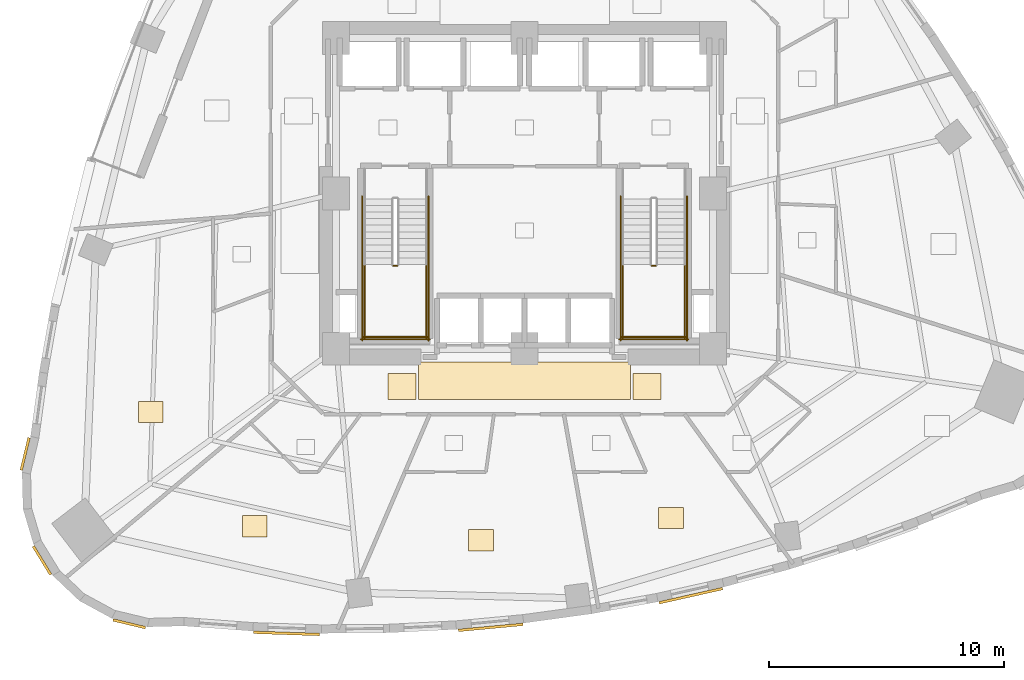
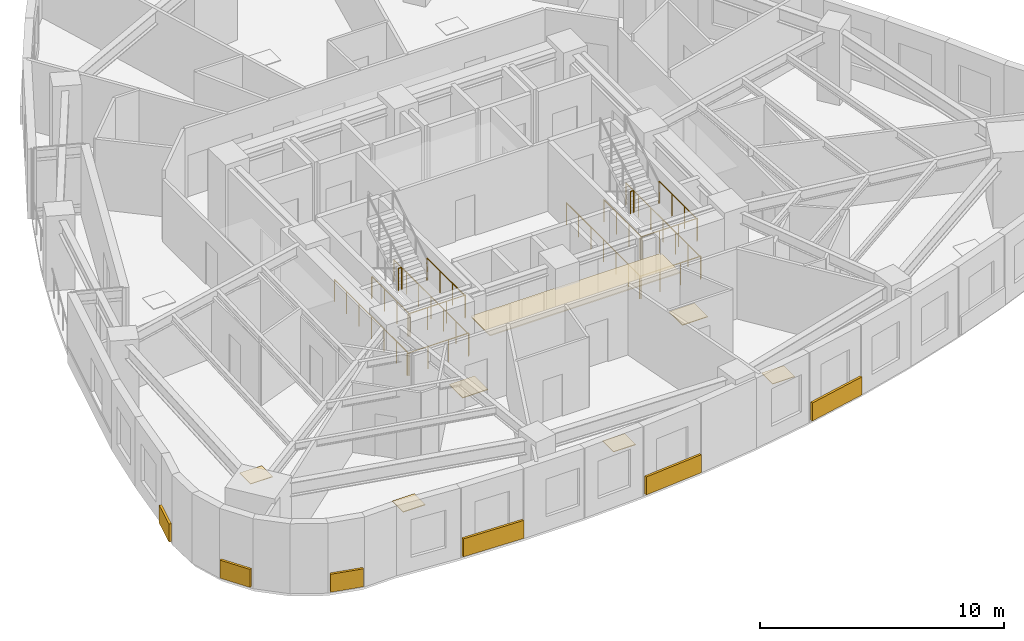
# One storey, part 10 of 12: 14 railings, 13 coverings.
"""IFC4 building model written with IfcOpenShell, lengths in metres."""

from ifc_helpers import new_model, si_unit, direction, frame, origin, origin_2d, place, context, subcontext, project, spatial, rectangle, circle, extrude, material, layer, layer_set, type_object, element, save


model = new_model("IFC4")

# Units and contexts
model_context = context("Model", 3, precision=1e-05, world=origin(), true_north=direction((0.0, 1.0)))
body_context = subcontext(model_context, "Body", "Model", "MODEL_VIEW")
ifc_project = project(units=[si_unit("LENGTHUNIT", "METRE"), si_unit("AREAUNIT", "SQUARE_METRE"), si_unit("VOLUMEUNIT", "CUBIC_METRE"), si_unit("PLANEANGLEUNIT", "RADIAN"), si_unit("MASSUNIT", "GRAM", prefix="KILO")], contexts=[model_context])

# Site, building, storey
site_placement = place(None, origin())
site = spatial("IfcSite", under=ifc_project, at=site_placement, CompositionType="ELEMENT")
building_placement = place(site_placement, origin())
building = spatial("IfcBuilding", under=site, at=building_placement, Name="Ndelora Gate Hotel", CompositionType="ELEMENT")
storey_placement = place(building_placement, frame((0.0, 0.0, 60.5)))
storey = spatial("IfcBuildingStorey", under=building, at=storey_placement, Name="L14", CompositionType="ELEMENT", Elevation=60.5)

# Coverings
ifc_material_1 = material(Name="Perforated Acoustic Gypsum Board", Category="gypsum")
ifc_layer_1 = layer(ifc_material_1, 0.054931640625)
ifc_layer_set_1 = layer_set([ifc_layer_1], Name="Perforated Acoustic Gypsum Board")
covering_type_1 = type_object("IfcCoveringType", Name="COV-CEIL-AC60", PredefinedType="CEILING", material=ifc_layer_set_1)
covering_1_placement = place(storey_placement, frame((0.0, -7.9599609375, 2.65234375), z_axis=(0.0, 0.0, 1.0), x_axis=(1.0, 0.0, 0.0)))
element("IfcCovering", 1, at=covering_1_placement, inside=storey, type_object=covering_type_1, Name="L14 Guest Corridor Acoustic Ceiling S", PredefinedType="CEILING", context=body_context, shape_type="SweptSolid", body=[
    extrude(rectangle(XDim=9.0, YDim=1.580078125, at=origin_2d()), origin(), (0.0, 0.0, 1.0), 0.054931640625),
])
ifc_material_2 = material(Name="Terracotta Fired Clay Brick Slip Cladding", Category="masonry")
ifc_layer_2 = layer(ifc_material_2, 0.110107421875)
ifc_layer_set_2 = layer_set([ifc_layer_2], Name="Terracotta Fired Clay Brick Slip Cladding")
covering_type_2 = type_object("IfcCoveringType", Name="COV-CLAD-BRK", PredefinedType="CLADDING", material=ifc_layer_set_2)
for number, where, z_axis, x_axis, name in (
    (2, (-21.212158203125, -11.068603515625, 0.10009765625), (0.0, 0.0, 1.0), (0.233445363856, 0.972369920398, 0.0), "L14 Rounded-Corner Brick Cladding Band 19"),
    (3, (-20.49560546875, -15.592041015625, 0.10009765625), (0.0, 0.0, 1.0), (-0.522498564716, 0.852640164354, 0.0), "L14 Rounded-Corner Brick Cladding Band 22"),
    (4, (-16.79052734375, -18.283935546875, 0.10009765625), (0.0, 0.0, 1.0), (-0.972369920398, 0.233445363856, 0.0), "L14 Rounded-Corner Brick Cladding Band 25"),
):
    element("IfcCovering", number, at=place(storey_placement, frame(where, z_axis=z_axis, x_axis=x_axis)), inside=storey, type_object=covering_type_2, Name=name, PredefinedType="CLADDING", context=body_context, shape_type="SweptSolid", body=[
        extrude(rectangle(XDim=1.4140625, YDim=0.110107421875, at=origin_2d()), origin(), (0.0, 0.0, 1.0), 0.89990234375),
    ])
covering_2_placement = place(storey_placement, frame((-10.110107421875, -18.692138671875, 0.10009765625), z_axis=(0.0, 0.0, 1.0), x_axis=(-0.99945598739, 0.032980740915, 0.0)))
element("IfcCovering", 5, at=covering_2_placement, inside=storey, type_object=covering_type_2, Name="L14 Rounded-Corner Brick Cladding Band 28", PredefinedType="CLADDING", context=body_context, shape_type="SweptSolid", body=[
    extrude(rectangle(XDim=2.81103515625, YDim=0.110107421875, at=origin_2d()), origin(), (0.0, 0.0, 1.0), 0.89990234375),
])
for number, where, z_axis, x_axis, name in (
    (6, (-1.43701171875, -18.43603515625, 0.10009765625), (0.0, 0.0, 1.0), (0.995676196569, 0.092891934994, 0.0), "L14 Rounded-Corner Brick Cladding Band 31"),
    (7, (7.063720703125, -17.089599609375, 0.10009765625), (0.0, 0.0, 1.0), (0.97564952142, 0.219335385547, 0.0), "L14 Rounded-Corner Brick Cladding Band 34"),
):
    element("IfcCovering", number, at=place(storey_placement, frame(where, z_axis=z_axis, x_axis=x_axis)), inside=storey, type_object=covering_type_2, Name=name, PredefinedType="CLADDING", context=body_context, shape_type="SweptSolid", body=[
        extrude(rectangle(XDim=2.764892578125, YDim=0.110107421875, at=origin_2d()), origin(), (0.0, 0.0, 1.0), 0.89990234375),
    ])
ifc_material_3 = material(Name="Engineered Highland Oak Parquet", Category="wood")
ifc_layer_3 = layer(ifc_material_3, 0.030029296875)
ifc_layer_set_3 = layer_set([ifc_layer_3], Name="Engineered Highland Oak Parquet")
covering_type_3 = type_object("IfcCoveringType", Name="COV-FLR-PARQ", PredefinedType="FLOORING", material=ifc_layer_set_3)
for number, where, z_axis, x_axis, name in (
    (8, (-15.8798828125, -9.28173828125, 0.0), (0.0, 0.0, 1.0), (1.0, 0.0, 0.0), "L14 Superior Double Junior Suite 1701 Oak Parquet Flooring"),
    (9, (-11.46484375, -14.14208984375, 0.0), (0.0, 0.0, 1.0), (1.0, 0.0, 0.0), "L14 Twin Junior Suite 1702 Oak Parquet Flooring"),
    (10, (-1.84521484375, -14.730224609375, 0.0), (0.0, 0.0, 1.0), (1.0, 0.0, 0.0), "L14 Corner Junior Suite 1703 Oak Parquet Flooring"),
    (11, (6.22509765625, -13.789306640625, 0.0), (0.0, 0.0, 1.0), (1.0, 0.0, 0.0), "L14 Executive King Guest Room 1704 Oak Parquet Flooring"),
):
    element("IfcCovering", number, at=place(storey_placement, frame(where, z_axis=z_axis, x_axis=x_axis)), inside=storey, type_object=covering_type_3, Name=name, PredefinedType="FLOORING", context=body_context, shape_type="SweptSolid", body=[
        extrude(rectangle(XDim=1.050048828125, YDim=0.89990234375, at=origin_2d()), origin(), (0.0, 0.0, 1.0), 0.030029296875),
    ])
ifc_material_4 = material(Name="Polished Highland Stone Terrazzo", Category="masonry")
ifc_layer_4 = layer(ifc_material_4, 0.034912109375)
ifc_layer_set_4 = layer_set([ifc_layer_4], Name="Polished Highland Stone Terrazzo")
covering_type_4 = type_object("IfcCoveringType", Name="COV-FLR-TERZ", PredefinedType="FLOORING", material=ifc_layer_set_4)
for number, where, z_axis, x_axis, name in (
    (12, (-5.199951171875, -8.199951171875, 0.0), (0.0, 0.0, 1.0), (1.0, 0.0, 0.0), "L14 Corridor Threshold Terrazzo Inlay SW"),
    (13, (5.199951171875, -8.199951171875, 0.0), (0.0, 0.0, 1.0), (1.0, 0.0, 0.0), "L14 Corridor Threshold Terrazzo Inlay SE"),
):
    element("IfcCovering", number, at=place(storey_placement, frame(where, z_axis=z_axis, x_axis=x_axis)), inside=storey, type_object=covering_type_4, Name=name, PredefinedType="FLOORING", context=body_context, shape_type="SweptSolid", body=[
        extrude(rectangle(XDim=1.199951171875, YDim=1.10009765625, at=origin_2d()), origin(), (0.0, 0.0, 1.0), 0.034912109375),
    ])

# Railings
ifc_material_5 = material(Name="Painted Galvanized Steel Balustrade", Category="steel")
ifc_layer_5 = layer(ifc_material_5, 0.06005859375)
ifc_layer_set_5 = layer_set([ifc_layer_5], Name="Painted Galvanized Steel Balustrade")
railing_type = type_object("IfcRailingType", Name="RL-STAIR-GD", PredefinedType="GUARDRAIL", material=ifc_layer_set_5)
railing_1_placement = place(storey_placement, frame((-5.570068359375, -3.080078125, 1.875)))
element("IfcRailing", 14, at=railing_1_placement, inside=storey, type_object=railing_type, Name="L14 ST4 stair guard 2", PredefinedType="GUARDRAIL", context=body_context, shape_type="SweptSolid", body=[
    extrude(circle(Radius=0.02392578125, at=origin_2d()), frame((0.0, 0.0, 1.10595703125), z_axis=(1.0, 0.0, 0.0), x_axis=(0.0, 1.0, 0.0)), (0.0, 0.0, 1.0), 0.16015625),
    extrude(circle(Radius=0.02099609375, at=origin_2d()), origin(), (0.0, 0.0, 1.0), 1.081787109375),
    extrude(circle(Radius=0.02099609375, at=origin_2d()), frame((0.16015625, 0.0, 0.0)), (0.0, 0.0, 1.0), 1.081787109375),
])
for number, where, name in (
    (15, (-6.800048828125, -3.030029296875, 1.875), "L14 ST4 stair guard 3"),
    (16, (-4.179931640625, -3.030029296875, 1.875), "L14 ST4 stair guard 4"),
):
    element("IfcRailing", number, at=place(storey_placement, frame(where)), inside=storey, type_object=railing_type, Name=name, PredefinedType="GUARDRAIL", context=body_context, shape_type="SweptSolid", body=[
        extrude(circle(Radius=0.02392578125, at=origin_2d()), frame((0.0, 0.0, 1.10595703125), z_axis=(0.0, -1.0, 0.0), x_axis=(1.0, 0.0, 0.0)), (0.0, 0.0, 1.0), 3.119873046875),
        extrude(circle(Radius=0.02099609375, at=origin_2d()), origin(), (0.0, 0.0, 1.0), 1.081787109375),
        extrude(circle(Radius=0.02099609375, at=origin_2d()), frame((0.0, -1.0400390625, 0.0)), (0.0, 0.0, 1.0), 1.081787109375),
        extrude(circle(Radius=0.02099609375, at=origin_2d()), frame((0.0, -2.079833984375, 0.0)), (0.0, 0.0, 1.0), 1.081787109375),
        extrude(circle(Radius=0.02099609375, at=origin_2d()), frame((0.0, -3.119873046875, 0.0)), (0.0, 0.0, 1.0), 1.081787109375),
    ])
railing_2_placement = place(storey_placement, frame((-6.85009765625, -6.10009765625, 1.875)))
element("IfcRailing", 17, at=railing_2_placement, inside=storey, type_object=railing_type, Name="L14 ST4 stair guard 5", PredefinedType="GUARDRAIL", context=body_context, shape_type="SweptSolid", body=[
    extrude(circle(Radius=0.02392578125, at=origin_2d()), frame((0.0, 0.0, 1.10595703125), z_axis=(1.0, 0.0, 0.0), x_axis=(0.0, 1.0, 0.0)), (0.0, 0.0, 1.0), 2.72021484375),
    extrude(circle(Radius=0.02099609375, at=origin_2d()), origin(), (0.0, 0.0, 1.0), 1.081787109375),
    extrude(circle(Radius=0.02099609375, at=origin_2d()), frame((0.90673828125, 0.0, 0.0)), (0.0, 0.0, 1.0), 1.081787109375),
    extrude(circle(Radius=0.02099609375, at=origin_2d()), frame((1.8134765625, 0.0, 0.0)), (0.0, 0.0, 1.0), 1.081787109375),
    extrude(circle(Radius=0.02099609375, at=origin_2d()), frame((2.72021484375, 0.0, 0.0)), (0.0, 0.0, 1.0), 1.081787109375),
])
for number, where, name in (
    (18, (-6.89990234375, -0.1298828125, 0.0), "L14 ST4 stair guard 10"),
    (19, (-4.080078125, -0.1298828125, 0.0), "L14 ST4 stair guard 11"),
):
    element("IfcRailing", number, at=place(storey_placement, frame(where)), inside=storey, type_object=railing_type, Name=name, PredefinedType="GUARDRAIL", context=body_context, shape_type="SweptSolid", body=[
        extrude(circle(Radius=0.02392578125, at=origin_2d()), frame((0.0, 0.0, 1.10595703125), z_axis=(0.0, -1.0, 0.0), x_axis=(1.0, 0.0, 0.0)), (0.0, 0.0, 1.0), 6.1201171875),
        extrude(circle(Radius=0.02099609375, at=origin_2d()), origin(), (0.0, 0.0, 1.0), 1.081787109375),
        extrude(circle(Radius=0.02099609375, at=origin_2d()), frame((0.0, -1.02001953125, 0.0)), (0.0, 0.0, 1.0), 1.081787109375),
        extrude(circle(Radius=0.02099609375, at=origin_2d()), frame((0.0, -2.0400390625, 0.0)), (0.0, 0.0, 1.0), 1.081787109375),
        extrude(circle(Radius=0.02099609375, at=origin_2d()), frame((0.0, -3.06005859375, 0.0)), (0.0, 0.0, 1.0), 1.081787109375),
        extrude(circle(Radius=0.02099609375, at=origin_2d()), frame((0.0, -4.080078125, 0.0)), (0.0, 0.0, 1.0), 1.081787109375),
        extrude(circle(Radius=0.02099609375, at=origin_2d()), frame((0.0, -5.10009765625, 0.0)), (0.0, 0.0, 1.0), 1.081787109375),
        extrude(circle(Radius=0.02099609375, at=origin_2d()), frame((0.0, -6.1201171875, 0.0)), (0.0, 0.0, 1.0), 1.081787109375),
    ])
railing_3_placement = place(storey_placement, frame((-6.949951171875, -6.199951171875, 0.0)))
element("IfcRailing", 20, at=railing_3_placement, inside=storey, type_object=railing_type, Name="L14 ST4 stair guard 12", PredefinedType="GUARDRAIL", context=body_context, shape_type="SweptSolid", body=[
    extrude(circle(Radius=0.02392578125, at=origin_2d()), frame((0.0, 0.0, 1.10595703125), z_axis=(1.0, 0.0, 0.0), x_axis=(0.0, 1.0, 0.0)), (0.0, 0.0, 1.0), 2.919921875),
    extrude(circle(Radius=0.02099609375, at=origin_2d()), origin(), (0.0, 0.0, 1.0), 1.081787109375),
    extrude(circle(Radius=0.02099609375, at=origin_2d()), frame((0.973388671875, 0.0, 0.0)), (0.0, 0.0, 1.0), 1.081787109375),
    extrude(circle(Radius=0.02099609375, at=origin_2d()), frame((1.946533203125, 0.0, 0.0)), (0.0, 0.0, 1.0), 1.081787109375),
    extrude(circle(Radius=0.02099609375, at=origin_2d()), frame((2.919921875, 0.0, 0.0)), (0.0, 0.0, 1.0), 1.081787109375),
])
railing_4_placement = place(storey_placement, frame((5.409912109375, -3.080078125, 1.875)))
element("IfcRailing", 21, at=railing_4_placement, inside=storey, type_object=railing_type, Name="L14 ST5 stair guard 2", PredefinedType="GUARDRAIL", context=body_context, shape_type="SweptSolid", body=[
    extrude(circle(Radius=0.02392578125, at=origin_2d()), frame((0.0, 0.0, 1.10595703125), z_axis=(1.0, 0.0, 0.0), x_axis=(0.0, 1.0, 0.0)), (0.0, 0.0, 1.0), 0.16015625),
    extrude(circle(Radius=0.02099609375, at=origin_2d()), origin(), (0.0, 0.0, 1.0), 1.081787109375),
    extrude(circle(Radius=0.02099609375, at=origin_2d()), frame((0.16015625, 0.0, 0.0)), (0.0, 0.0, 1.0), 1.081787109375),
])
for number, where, name in (
    (22, (4.179931640625, -3.030029296875, 1.875), "L14 ST5 stair guard 3"),
    (23, (6.800048828125, -3.030029296875, 1.875), "L14 ST5 stair guard 4"),
):
    element("IfcRailing", number, at=place(storey_placement, frame(where)), inside=storey, type_object=railing_type, Name=name, PredefinedType="GUARDRAIL", context=body_context, shape_type="SweptSolid", body=[
        extrude(circle(Radius=0.02392578125, at=origin_2d()), frame((0.0, 0.0, 1.10595703125), z_axis=(0.0, -1.0, 0.0), x_axis=(1.0, 0.0, 0.0)), (0.0, 0.0, 1.0), 3.119873046875),
        extrude(circle(Radius=0.02099609375, at=origin_2d()), origin(), (0.0, 0.0, 1.0), 1.081787109375),
        extrude(circle(Radius=0.02099609375, at=origin_2d()), frame((0.0, -1.0400390625, 0.0)), (0.0, 0.0, 1.0), 1.081787109375),
        extrude(circle(Radius=0.02099609375, at=origin_2d()), frame((0.0, -2.079833984375, 0.0)), (0.0, 0.0, 1.0), 1.081787109375),
        extrude(circle(Radius=0.02099609375, at=origin_2d()), frame((0.0, -3.119873046875, 0.0)), (0.0, 0.0, 1.0), 1.081787109375),
    ])
railing_5_placement = place(storey_placement, frame((4.1298828125, -6.10009765625, 1.875)))
element("IfcRailing", 24, at=railing_5_placement, inside=storey, type_object=railing_type, Name="L14 ST5 stair guard 5", PredefinedType="GUARDRAIL", context=body_context, shape_type="SweptSolid", body=[
    extrude(circle(Radius=0.02392578125, at=origin_2d()), frame((0.0, 0.0, 1.10595703125), z_axis=(1.0, 0.0, 0.0), x_axis=(0.0, 1.0, 0.0)), (0.0, 0.0, 1.0), 2.72021484375),
    extrude(circle(Radius=0.02099609375, at=origin_2d()), origin(), (0.0, 0.0, 1.0), 1.081787109375),
    extrude(circle(Radius=0.02099609375, at=origin_2d()), frame((0.90673828125, 0.0, 0.0)), (0.0, 0.0, 1.0), 1.081787109375),
    extrude(circle(Radius=0.02099609375, at=origin_2d()), frame((1.8134765625, 0.0, 0.0)), (0.0, 0.0, 1.0), 1.081787109375),
    extrude(circle(Radius=0.02099609375, at=origin_2d()), frame((2.72021484375, 0.0, 0.0)), (0.0, 0.0, 1.0), 1.081787109375),
])
for number, where, name in (
    (25, (4.080078125, -0.1298828125, 0.0), "L14 ST5 stair guard 10"),
    (26, (6.89990234375, -0.1298828125, 0.0), "L14 ST5 stair guard 11"),
):
    element("IfcRailing", number, at=place(storey_placement, frame(where)), inside=storey, type_object=railing_type, Name=name, PredefinedType="GUARDRAIL", context=body_context, shape_type="SweptSolid", body=[
        extrude(circle(Radius=0.02392578125, at=origin_2d()), frame((0.0, 0.0, 1.10595703125), z_axis=(0.0, -1.0, 0.0), x_axis=(1.0, 0.0, 0.0)), (0.0, 0.0, 1.0), 6.1201171875),
        extrude(circle(Radius=0.02099609375, at=origin_2d()), origin(), (0.0, 0.0, 1.0), 1.081787109375),
        extrude(circle(Radius=0.02099609375, at=origin_2d()), frame((0.0, -1.02001953125, 0.0)), (0.0, 0.0, 1.0), 1.081787109375),
        extrude(circle(Radius=0.02099609375, at=origin_2d()), frame((0.0, -2.0400390625, 0.0)), (0.0, 0.0, 1.0), 1.081787109375),
        extrude(circle(Radius=0.02099609375, at=origin_2d()), frame((0.0, -3.06005859375, 0.0)), (0.0, 0.0, 1.0), 1.081787109375),
        extrude(circle(Radius=0.02099609375, at=origin_2d()), frame((0.0, -4.080078125, 0.0)), (0.0, 0.0, 1.0), 1.081787109375),
        extrude(circle(Radius=0.02099609375, at=origin_2d()), frame((0.0, -5.10009765625, 0.0)), (0.0, 0.0, 1.0), 1.081787109375),
        extrude(circle(Radius=0.02099609375, at=origin_2d()), frame((0.0, -6.1201171875, 0.0)), (0.0, 0.0, 1.0), 1.081787109375),
    ])
railing_6_placement = place(storey_placement, frame((4.030029296875, -6.199951171875, 0.0)))
element("IfcRailing", 27, at=railing_6_placement, inside=storey, type_object=railing_type, Name="L14 ST5 stair guard 12", PredefinedType="GUARDRAIL", context=body_context, shape_type="SweptSolid", body=[
    extrude(circle(Radius=0.02392578125, at=origin_2d()), frame((0.0, 0.0, 1.10595703125), z_axis=(1.0, 0.0, 0.0), x_axis=(0.0, 1.0, 0.0)), (0.0, 0.0, 1.0), 2.919921875),
    extrude(circle(Radius=0.02099609375, at=origin_2d()), origin(), (0.0, 0.0, 1.0), 1.081787109375),
    extrude(circle(Radius=0.02099609375, at=origin_2d()), frame((0.973388671875, 0.0, 0.0)), (0.0, 0.0, 1.0), 1.081787109375),
    extrude(circle(Radius=0.02099609375, at=origin_2d()), frame((1.946533203125, 0.0, 0.0)), (0.0, 0.0, 1.0), 1.081787109375),
    extrude(circle(Radius=0.02099609375, at=origin_2d()), frame((2.919921875, 0.0, 0.0)), (0.0, 0.0, 1.0), 1.081787109375),
])

save(model, "model.ifc")
